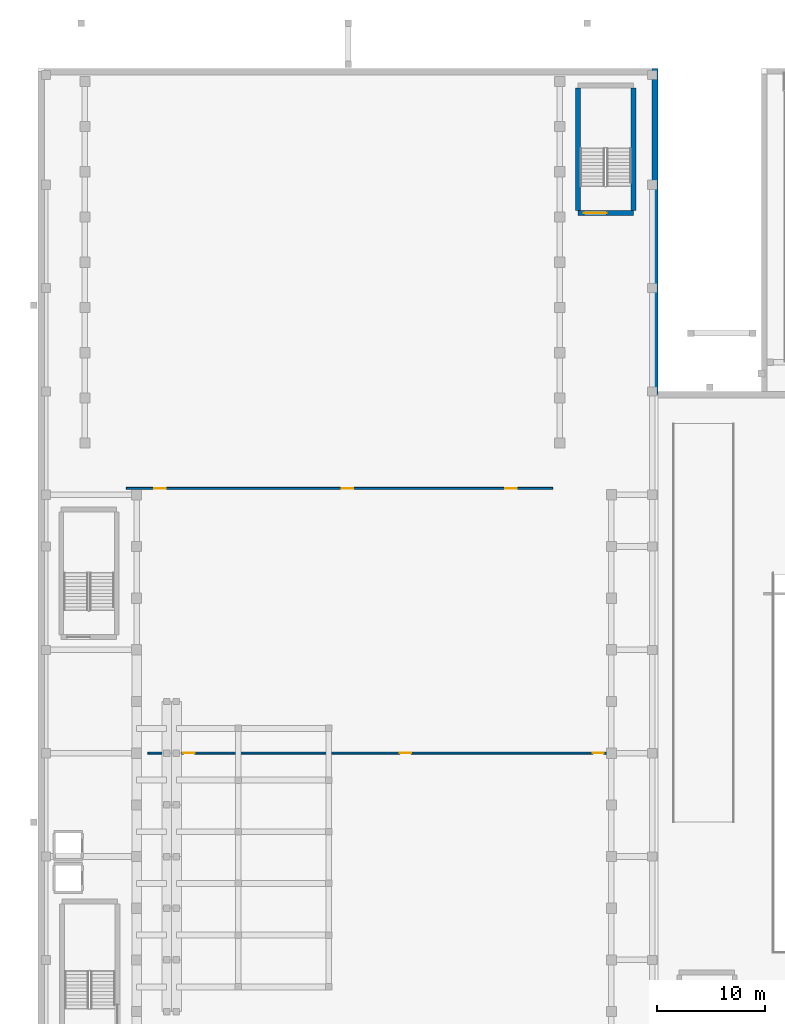
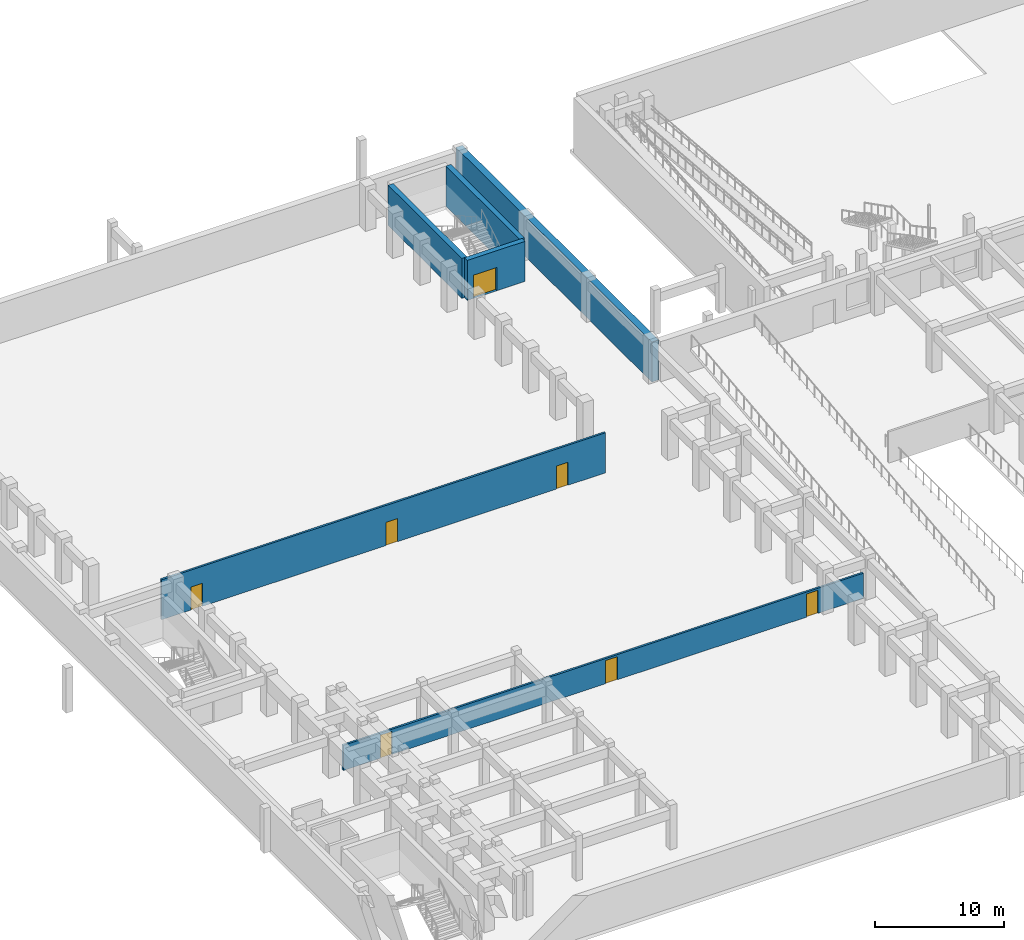
# One storey, part 13 of 39: 7 doors, 6 walls, 7 openings.
"""IFC4 building model written with IfcOpenShell, lengths in metres."""

from ifc_helpers import new_model, si_unit, direction, frame, frame_2d, origin, place, context, subcontext, project, spatial, rectangle, extrude, material, layer, layer_set, type_object, element, fill, save


model = new_model("IFC4")

# Units and contexts
model_context = context("Model", 3, precision=1e-05, world=origin(), true_north=direction((0.0, 1.0)))
body_context = subcontext(model_context, "Body", "Model", "MODEL_VIEW")
ifc_project = project(units=[si_unit("LENGTHUNIT", "METRE"), si_unit("AREAUNIT", "SQUARE_METRE"), si_unit("VOLUMEUNIT", "CUBIC_METRE"), si_unit("PLANEANGLEUNIT", "RADIAN"), si_unit("MASSUNIT", "GRAM", prefix="KILO")], contexts=[model_context])

# Site, building, storey
site_placement = place(None, origin())
site = spatial("IfcSite", under=ifc_project, at=site_placement, CompositionType="ELEMENT")
building_placement = place(site_placement, origin())
building = spatial("IfcBuilding", under=site, at=building_placement, Name="Nakhvara Creek Congress Hotel", CompositionType="ELEMENT")
storey_placement = place(building_placement, frame((0.0, 0.0, -4.199951171875)))
storey = spatial("IfcBuildingStorey", under=building, at=storey_placement, Name="B1", CompositionType="ELEMENT", Elevation=-4.199951171875)

# Wall, opening, door
ifc_material_1 = material(Name="Concrete C50/60", Category="concrete")
ifc_layer_1 = layer(ifc_material_1, 0.449951171875)
ifc_layer_set_1 = layer_set([ifc_layer_1], Name="Concrete C50/60")
wall_type_1 = type_object("IfcWallType", Name="W-CORE-450", PredefinedType="SHEAR", material=ifc_layer_set_1)
wall_1_placement = place(storey_placement, frame((50.14990234375, 112.580078125, 0.0), z_axis=(0.0, 0.0, 1.0), x_axis=(1.0, 0.0, 0.0)))
wall_1 = element("IfcWall", 1, at=wall_1_placement, inside=storey, type_object=wall_type_1, Name="Core Shear Wall WS02-CWALL-B1-0875", PredefinedType="SHEAR", context=body_context, shape_type="SweptSolid", body=[
    extrude(rectangle(XDim=5.150146484375, YDim=0.449951171875, at=frame_2d((2.5751953125, 0.0))), origin(), (0.0, 0.0, 1.0), 3.780029296875),
])
opening_1_placement = place(wall_1_placement, frame((0.550048828125, 0.0, 0.0)))
opening_1 = element("IfcOpeningElement", 2, at=opening_1_placement, cuts=wall_1, Name="Opening FD19", PredefinedType="OPENING", context=body_context, shape_type="SweptSolid", body=[
    extrude(rectangle(XDim=2.10009765625, YDim=2.199951171875, at=frame_2d((1.050048828125, 1.10009765625))), frame((0.0, 0.23681640625, 0.0), z_axis=(0.0, -1.0, 0.0), x_axis=(1.0, 0.0, 0.0)), (0.0, 0.0, 1.0), 0.473876953125),
])
ifc_material_2 = material(Name="Galvanised steel acoustic fire door", Category="steel")
door_type_1 = type_object("IfcDoorType", Name="DT-STAIR-220", OperationType="DOUBLE_DOOR_SINGLE_SWING", PredefinedType="DOOR", material=ifc_material_2)
door_1_placement = place(opening_1_placement, frame((2.10009765625, 0.0, 0.0), z_axis=(0.0, 0.0, 1.0), x_axis=(-1.0, 0.0, 0.0)))
door_1 = element("IfcDoor", 3, at=door_1_placement, inside=storey, type_object=door_type_1, Name="Stair Exit Door ST08-B1", OperationType="DOUBLE_DOOR_SINGLE_SWING", OverallHeight=2.199951171875, OverallWidth=2.10009765625, PredefinedType="DOOR", context=body_context, shape_type="SweptSolid", body=[
    extrude(rectangle(XDim=2.10009765625, YDim=2.199951171875, at=frame_2d((1.050048828125, 1.10009765625))), frame((0.0, 0.02490234375, 0.0), z_axis=(0.0, -1.0, 0.0), x_axis=(1.0, 0.0, 0.0)), (0.0, 0.0, 1.0), 0.050048828125),
])
fill(opening_1, door_1)

# Walls
for number, where, z_axis, x_axis, name in (
    (4, (50.14990234375, 112.800048828125, 0.0), (0.0, 0.0, 1.0), (0.0, 1.0, 0.0), "Core Shear Wall WS02-CWALL-B1-0877"),
    (5, (55.300048828125, 112.800048828125, 0.0), (0.0, 0.0, 1.0), (0.0, 1.0, 0.0), "Core Shear Wall WS02-CWALL-B1-0878"),
):
    element("IfcWall", number, at=place(storey_placement, frame(where, z_axis=z_axis, x_axis=x_axis)), inside=storey, type_object=wall_type_1, Name=name, PredefinedType="SHEAR", context=body_context, shape_type="SweptSolid", body=[
        extrude(rectangle(XDim=11.39990234375, YDim=0.449951171875, at=frame_2d((5.699951171875, 0.0))), origin(), (0.0, 0.0, 1.0), 3.780029296875),
    ])

# Wall, openings, doors
ifc_material_3 = material(Name="Gypsum acoustic board on steel stud", Category="steel")
ifc_layer_2 = layer(ifc_material_3, 0.179931640625)
ifc_layer_set_2 = layer_set([ifc_layer_2], Name="Gypsum acoustic board on steel stud")
wall_type_2 = type_object("IfcWallType", Name="W-MEET-180", PredefinedType="PARTITIONING", material=ifc_layer_set_2)
wall_2_placement = place(storey_placement, frame((8.199951171875, 87.0, 0.0), z_axis=(0.0, 0.0, 1.0), x_axis=(1.0, 0.0, 0.0)))
wall_2 = element("IfcWall", 6, at=wall_2_placement, inside=storey, type_object=wall_type_2, Name="Interior Wall WP13-IW-B1-0046", PredefinedType="PARTITIONING", context=body_context, shape_type="SweptSolid", body=[
    extrude(rectangle(XDim=39.60009765625, YDim=0.179931640625, at=frame_2d((19.800048828125, 0.0))), origin(), (0.0, 0.0, 1.0), 3.780029296875),
])
opening_2_placement = place(wall_2_placement, frame((2.60009765625, 0.0, 0.0)))
opening_2 = element("IfcOpeningElement", 7, at=opening_2_placement, cuts=wall_2, Name="Opening ID04", PredefinedType="OPENING", context=body_context, shape_type="SweptSolid", body=[
    extrude(rectangle(XDim=1.050048828125, YDim=2.179931640625, at=frame_2d((0.52490234375, 1.08984375))), frame((0.0, 0.10205078125, 0.0), z_axis=(0.0, -1.0, 0.0), x_axis=(1.0, 0.0, 0.0)), (0.0, 0.0, 1.0), 0.203857421875),
])
opening_3_placement = place(wall_2_placement, frame((35.199951171875, 0.0, 0.0)))
opening_3 = element("IfcOpeningElement", 8, at=opening_3_placement, cuts=wall_2, Name="Opening ID04", PredefinedType="OPENING", context=body_context, shape_type="SweptSolid", body=[
    extrude(rectangle(XDim=1.050048828125, YDim=2.179931640625, at=frame_2d((0.52490234375, 1.08984375))), frame((0.0, 0.10205078125, 0.0), z_axis=(0.0, -1.0, 0.0), x_axis=(1.0, 0.0, 0.0)), (0.0, 0.0, 1.0), 0.203857421875),
])
opening_4_placement = place(wall_2_placement, frame((20.0, 0.0, 0.0)))
opening_4 = element("IfcOpeningElement", 9, at=opening_4_placement, cuts=wall_2, Name="Opening ID04", PredefinedType="OPENING", context=body_context, shape_type="SweptSolid", body=[
    extrude(rectangle(XDim=1.050048828125, YDim=2.179931640625, at=frame_2d((0.52490234375, 1.08984375))), frame((0.0, 0.10205078125, 0.0), z_axis=(0.0, -1.0, 0.0), x_axis=(1.0, 0.0, 0.0)), (0.0, 0.0, 1.0), 0.203857421875),
])
ifc_material_4 = material(Name="Teak timber & frosted glass spa door", Category="wood")
door_type_2 = type_object("IfcDoorType", Name="DT-SPA-105", OperationType="NOTDEFINED", PredefinedType="DOOR", material=ifc_material_4)
door_2_placement = place(opening_2_placement, frame((1.050048828125, 0.0, 0.0), z_axis=(0.0, 0.0, 1.0), x_axis=(-1.0, 0.0, 0.0)))
door_2 = element("IfcDoor", 10, at=door_2_placement, inside=storey, type_object=door_type_2, Name="Interior Door ID04-0043", OperationType="SINGLE_SWING_RIGHT", OverallHeight=2.179931640625, OverallWidth=1.050048828125, PredefinedType="DOOR", context=body_context, shape_type="SweptSolid", body=[
    extrude(rectangle(XDim=1.050048828125, YDim=2.179931640625, at=frame_2d((0.52490234375, 1.08984375))), frame((0.0, 0.02490234375, 0.0), z_axis=(0.0, -1.0, 0.0), x_axis=(1.0, 0.0, 0.0)), (0.0, 0.0, 1.0), 0.050048828125),
])
fill(opening_2, door_2)
door_3_placement = place(opening_3_placement, frame((1.050048828125, 0.0, 0.0), z_axis=(0.0, 0.0, 1.0), x_axis=(-1.0, 0.0, 0.0)))
door_3 = element("IfcDoor", 11, at=door_3_placement, inside=storey, type_object=door_type_2, Name="Interior Door ID04-0044", OperationType="SINGLE_SWING_LEFT", OverallHeight=2.179931640625, OverallWidth=1.050048828125, PredefinedType="DOOR", context=body_context, shape_type="SweptSolid", body=[
    extrude(rectangle(XDim=1.050048828125, YDim=2.179931640625, at=frame_2d((0.52490234375, 1.08984375))), frame((0.0, 0.02490234375, 0.0), z_axis=(0.0, -1.0, 0.0), x_axis=(1.0, 0.0, 0.0)), (0.0, 0.0, 1.0), 0.050048828125),
])
fill(opening_3, door_3)
door_4_placement = place(opening_4_placement, frame((1.050048828125, 0.0, 0.0), z_axis=(0.0, 0.0, 1.0), x_axis=(-1.0, 0.0, 0.0)))
door_4 = element("IfcDoor", 12, at=door_4_placement, inside=storey, type_object=door_type_2, Name="Interior Door ID04-0045", OperationType="SINGLE_SWING_RIGHT", OverallHeight=2.179931640625, OverallWidth=1.050048828125, PredefinedType="DOOR", context=body_context, shape_type="SweptSolid", body=[
    extrude(rectangle(XDim=1.050048828125, YDim=2.179931640625, at=frame_2d((0.52490234375, 1.08984375))), frame((0.0, 0.02490234375, 0.0), z_axis=(0.0, -1.0, 0.0), x_axis=(1.0, 0.0, 0.0)), (0.0, 0.0, 1.0), 0.050048828125),
])
fill(opening_4, door_4)

wall_3_placement = place(storey_placement, frame((10.199951171875, 62.39990234375, 0.0), z_axis=(0.0, 0.0, 1.0), x_axis=(1.0, 0.0, 0.0)))
wall_3 = element("IfcWall", 13, at=wall_3_placement, inside=storey, type_object=wall_type_2, Name="Interior Wall WP13-IW-B1-0047", PredefinedType="PARTITIONING", context=body_context, shape_type="SweptSolid", body=[
    extrude(rectangle(XDim=46.400146484375, YDim=0.179931640625, at=frame_2d((23.2001953125, 0.0))), origin(), (0.0, 0.0, 1.0), 2.3720703125),
])
opening_5_placement = place(wall_3_placement, frame((3.300048828125, 0.0, 0.0)))
opening_5 = element("IfcOpeningElement", 14, at=opening_5_placement, cuts=wall_3, Name="Opening ID04", PredefinedType="OPENING", context=body_context, shape_type="SweptSolid", body=[
    extrude(rectangle(XDim=1.050048828125, YDim=2.179931640625, at=frame_2d((0.52490234375, 1.08984375))), frame((0.0, 0.10205078125, 0.0), z_axis=(0.0, -1.0, 0.0), x_axis=(1.0, 0.0, 0.0)), (0.0, 0.0, 1.0), 0.203857421875),
])
opening_6_placement = place(wall_3_placement, frame((41.300048828125, 0.0, 0.0)))
opening_6 = element("IfcOpeningElement", 15, at=opening_6_placement, cuts=wall_3, Name="Opening ID04", PredefinedType="OPENING", context=body_context, shape_type="SweptSolid", body=[
    extrude(rectangle(XDim=1.050048828125, YDim=2.179931640625, at=frame_2d((0.52490234375, 1.08984375))), frame((0.0, 0.10205078125, 0.0), z_axis=(0.0, -1.0, 0.0), x_axis=(1.0, 0.0, 0.0)), (0.0, 0.0, 1.0), 0.203857421875),
])
opening_7_placement = place(wall_3_placement, frame((23.39990234375, 0.0, 0.0)))
opening_7 = element("IfcOpeningElement", 16, at=opening_7_placement, cuts=wall_3, Name="Opening ID04", PredefinedType="OPENING", context=body_context, shape_type="SweptSolid", body=[
    extrude(rectangle(XDim=1.050048828125, YDim=2.179931640625, at=frame_2d((0.52490234375, 1.08984375))), frame((0.0, 0.10205078125, 0.0), z_axis=(0.0, -1.0, 0.0), x_axis=(1.0, 0.0, 0.0)), (0.0, 0.0, 1.0), 0.203857421875),
])
door_5_placement = place(opening_5_placement, frame((1.050048828125, 0.0, 0.0), z_axis=(0.0, 0.0, 1.0), x_axis=(-1.0, 0.0, 0.0)))
door_5 = element("IfcDoor", 17, at=door_5_placement, inside=storey, type_object=door_type_2, Name="Interior Door ID04-0046", OperationType="SINGLE_SWING_LEFT", OverallHeight=2.179931640625, OverallWidth=1.050048828125, PredefinedType="DOOR", context=body_context, shape_type="SweptSolid", body=[
    extrude(rectangle(XDim=1.050048828125, YDim=2.179931640625, at=frame_2d((0.52490234375, 1.08984375))), frame((0.0, 0.02490234375, 0.0), z_axis=(0.0, -1.0, 0.0), x_axis=(1.0, 0.0, 0.0)), (0.0, 0.0, 1.0), 0.050048828125),
])
fill(opening_5, door_5)
door_6_placement = place(opening_6_placement, frame((1.050048828125, 0.0, 0.0), z_axis=(0.0, 0.0, 1.0), x_axis=(-1.0, 0.0, 0.0)))
door_6 = element("IfcDoor", 18, at=door_6_placement, inside=storey, type_object=door_type_2, Name="Interior Door ID04-0047", OperationType="SINGLE_SWING_RIGHT", OverallHeight=2.179931640625, OverallWidth=1.050048828125, PredefinedType="DOOR", context=body_context, shape_type="SweptSolid", body=[
    extrude(rectangle(XDim=1.050048828125, YDim=2.179931640625, at=frame_2d((0.52490234375, 1.08984375))), frame((0.0, 0.02490234375, 0.0), z_axis=(0.0, -1.0, 0.0), x_axis=(1.0, 0.0, 0.0)), (0.0, 0.0, 1.0), 0.050048828125),
])
fill(opening_6, door_6)
door_7_placement = place(opening_7_placement, frame((1.050048828125, 0.0, 0.0), z_axis=(0.0, 0.0, 1.0), x_axis=(-1.0, 0.0, 0.0)))
door_7 = element("IfcDoor", 19, at=door_7_placement, inside=storey, type_object=door_type_2, Name="Interior Door ID04-0048", OperationType="SINGLE_SWING_LEFT", OverallHeight=2.179931640625, OverallWidth=1.050048828125, PredefinedType="DOOR", context=body_context, shape_type="SweptSolid", body=[
    extrude(rectangle(XDim=1.050048828125, YDim=2.179931640625, at=frame_2d((0.52490234375, 1.08984375))), frame((0.0, 0.02490234375, 0.0), z_axis=(0.0, -1.0, 0.0), x_axis=(1.0, 0.0, 0.0)), (0.0, 0.0, 1.0), 0.050048828125),
])
fill(opening_7, door_7)

# Wall
ifc_material_5 = material(Name="Concrete C40/50", Category="concrete")
ifc_layer_3 = layer(ifc_material_5, 0.60009765625)
ifc_layer_set_3 = layer_set([ifc_layer_3], Name="Concrete C40/50")
wall_type_3 = type_object("IfcWallType", Name="W-RET-600", PredefinedType="USERDEFINED", material=ifc_layer_set_3)
wall_4_placement = place(storey_placement, frame((57.300048828125, 126.0, 0.0), z_axis=(0.0, 0.0, 1.0), x_axis=(0.0, -1.0, 0.0)))
element("IfcWall", 20, at=wall_4_placement, inside=storey, type_object=wall_type_3, Name="Exterior Wall WR01-EW-B1-0013", ObjectType="RETAININGWALL", PredefinedType="USERDEFINED", context=body_context, shape_type="SweptSolid", body=[
    extrude(rectangle(XDim=30.300048828125, YDim=0.60009765625, at=frame_2d((15.14990234375, 0.0))), origin(), (0.0, 0.0, 1.0), 3.780029296875),
])

save(model, "model.ifc")
